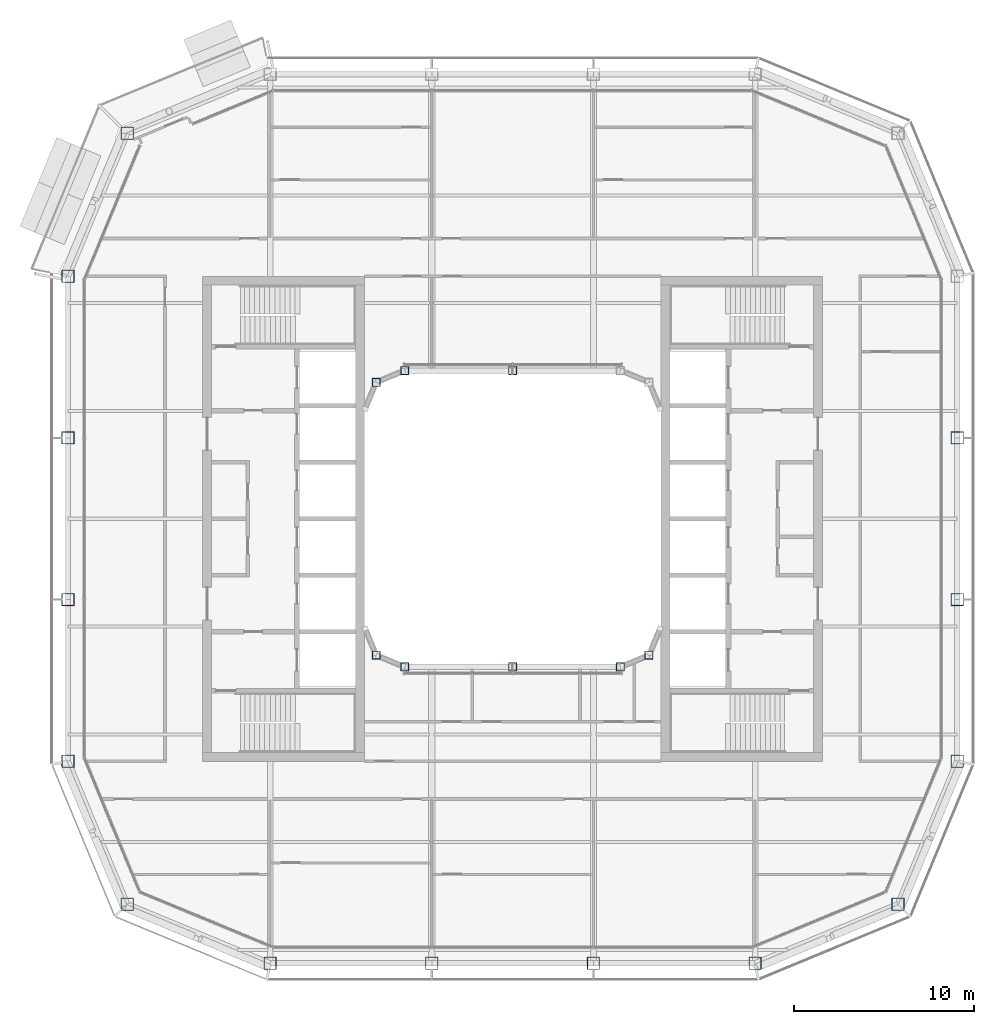
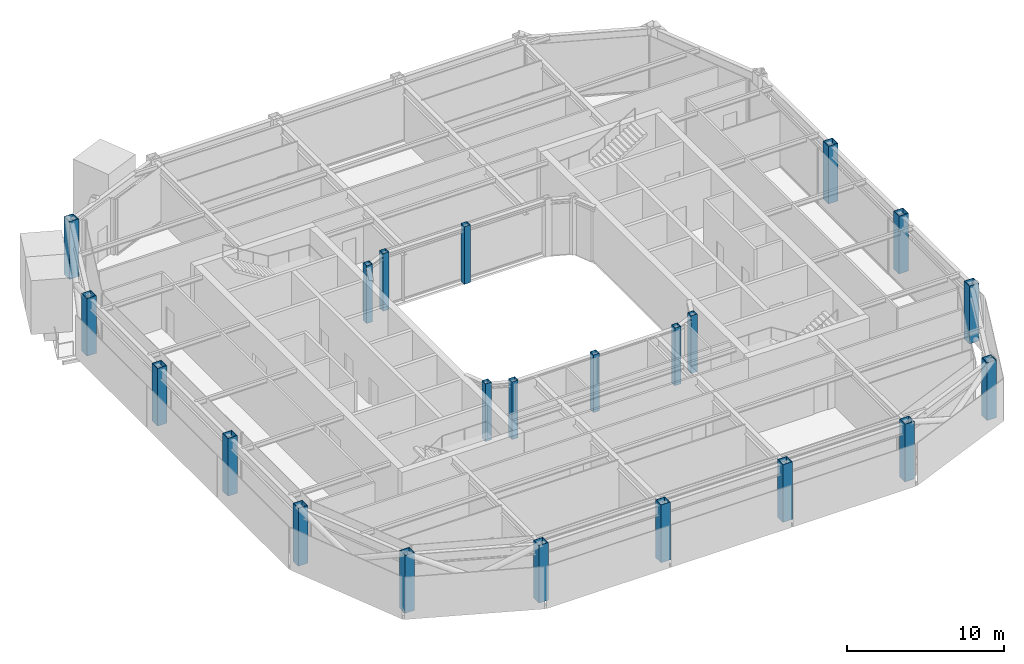
# One storey, part 1 of 22: 22 columns.
"""IFC4 building model written with IfcOpenShell, lengths in metres."""

from ifc_helpers import new_model, si_unit, direction, frame, origin, origin_2d, place, context, subcontext, project, spatial, hollow_rectangle, extrude, material, material_profile, profile_set, type_object, element, save


model = new_model("IFC4")

# Units and contexts
model_context = context("Model", 3, precision=1e-05, world=origin(), true_north=direction((0.0, 1.0)))
body_context = subcontext(model_context, "Body", "Model", "MODEL_VIEW")
ifc_project = project(units=[si_unit("LENGTHUNIT", "METRE"), si_unit("AREAUNIT", "SQUARE_METRE"), si_unit("VOLUMEUNIT", "CUBIC_METRE"), si_unit("PLANEANGLEUNIT", "RADIAN"), si_unit("MASSUNIT", "GRAM", prefix="KILO")], contexts=[model_context])

# Site, building, storey
site_placement = place(None, origin())
site = spatial("IfcSite", under=ifc_project, at=site_placement, CompositionType="ELEMENT")
building_placement = place(site_placement, origin())
building = spatial("IfcBuilding", under=site, at=building_placement, Name="Siwar Civic Tower", CompositionType="ELEMENT")
storey_placement = place(building_placement, frame((0.0, 0.0, 330.199951171875)))
storey = spatial("IfcBuildingStorey", under=building, at=storey_placement, Name="L71", CompositionType="ELEMENT", Elevation=330.199951171875)

# Columns
ifc_material_1 = material(Name="Steel S355", Category="steel")
ifc_material_profile_1 = material_profile(ifc_material_1, hollow_rectangle(XDim=0.699951171875, YDim=0.699951171875, WallThickness=0.035888671875, at=origin_2d()), Name="BOX700x700x36")
ifc_profile_set_1 = profile_set([ifc_material_profile_1], Name="Steel S355")
column_type_1 = type_object("IfcColumnType", Name="STR-COL-BOX700x700x36", PredefinedType="COLUMN", material=ifc_profile_set_1)
for number, where, z_axis, x_axis, name in (
    (1, (-13.5, -24.75, 0.0), (0.0, 0.0, 1.0), (1.0, 0.0, 0.0), "L71/col/S-0"),
    (2, (-4.5, -24.75, 0.0), (0.0, 0.0, 1.0), (1.0, 0.0, 0.0), "L71/col/S-1"),
    (3, (4.5, -24.75, 0.0), (0.0, 0.0, 1.0), (1.0, 0.0, 0.0), "L71/col/S-2"),
    (4, (13.5, -24.75, 0.0), (0.0, 0.0, 1.0), (1.0, 0.0, 0.0), "L71/col/SE1-0"),
    (5, (21.454833984375, -21.454833984375, 0.0), (0.0, 0.0, 1.0), (1.0, 0.0, 0.0), "L71/col/SE2-0"),
    (6, (24.75, -13.5, 0.0), (0.0, 0.0, 1.0), (1.0, 0.0, 0.0), "L71/col/E-0"),
    (7, (24.75, -4.5, 0.0), (0.0, 0.0, 1.0), (1.0, 0.0, 0.0), "L71/col/E-1"),
    (8, (24.75, 4.5, 0.0), (0.0, 0.0, 1.0), (1.0, 0.0, 0.0), "L71/col/E-2"),
    (9, (-21.454833984375, 21.454833984375, 0.0), (0.0, 0.0, 1.0), (1.0, 0.0, 0.0), "L71/col/NW2-0"),
    (10, (-24.75, 13.5, 0.0), (0.0, 0.0, 1.0), (1.0, 0.0, 0.0), "L71/col/W-0"),
    (11, (-24.75, 4.5, 0.0), (0.0, 0.0, 1.0), (1.0, 0.0, 0.0), "L71/col/W-1"),
    (12, (-24.75, -4.5, 0.0), (0.0, 0.0, 1.0), (1.0, 0.0, 0.0), "L71/col/W-2"),
    (13, (-24.75, -13.5, 0.0), (0.0, 0.0, 1.0), (1.0, 0.0, 0.0), "L71/col/SW1-0"),
    (14, (-21.454833984375, -21.454833984375, 0.0), (0.0, 0.0, 1.0), (1.0, 0.0, 0.0), "L71/col/SW2-0"),
):
    element("IfcColumn", number, at=place(storey_placement, frame(where, z_axis=z_axis, x_axis=x_axis)), inside=storey, type_object=column_type_1, Name=name, PredefinedType="COLUMN", context=body_context, shape_type="SweptSolid", body=[
        extrude(hollow_rectangle(XDim=0.699951171875, YDim=0.699951171875, WallThickness=0.035888671875, at=origin_2d()), origin(), (0.0, 0.0, 1.0), 4.5),
    ])
ifc_material_2 = material(Name="Steel S355", Category="steel")
ifc_material_profile_2 = material_profile(ifc_material_2, hollow_rectangle(XDim=0.449951171875, YDim=0.449951171875, WallThickness=0.02197265625, at=origin_2d()), Name="BOX450x450x22")
ifc_profile_set_2 = profile_set([ifc_material_profile_2], Name="Steel S355")
column_type_2 = type_object("IfcColumnType", Name="STR-ICOL-BOX450x450x22", PredefinedType="COLUMN", material=ifc_profile_set_2)
for number, where, z_axis, x_axis, name in (
    (15, (-7.591064453125, -7.591064453125, 0.0), (0.0, 0.0, 1.0), (1.0, 0.0, 0.0), "L71/col/IS-0"),
    (16, (-6.0, -8.25, 0.0), (0.0, 0.0, 1.0), (1.0, 0.0, 0.0), "L71/col/IS-1"),
    (17, (0.0, -8.25, 0.0), (0.0, 0.0, 1.0), (1.0, 0.0, 0.0), "L71/col/IS-2"),
    (18, (6.0, -8.25, 0.0), (0.0, 0.0, 1.0), (1.0, 0.0, 0.0), "L71/col/IS-3"),
    (19, (7.591064453125, -7.591064453125, 0.0), (0.0, 0.0, 1.0), (1.0, 0.0, 0.0), "L71/col/IS-4"),
    (20, (-7.591064453125, 7.591064453125, 0.0), (0.0, 0.0, 1.0), (1.0, 0.0, 0.0), "L71/col/IN-0"),
    (21, (-6.0, 8.25, 0.0), (0.0, 0.0, 1.0), (1.0, 0.0, 0.0), "L71/col/IN-1"),
    (22, (0.0, 8.25, 0.0), (0.0, 0.0, 1.0), (1.0, 0.0, 0.0), "L71/col/IN-2"),
):
    element("IfcColumn", number, at=place(storey_placement, frame(where, z_axis=z_axis, x_axis=x_axis)), inside=storey, type_object=column_type_2, Name=name, PredefinedType="COLUMN", context=body_context, shape_type="SweptSolid", body=[
        extrude(hollow_rectangle(XDim=0.449951171875, YDim=0.449951171875, WallThickness=0.02197265625, at=origin_2d()), origin(), (0.0, 0.0, 1.0), 4.5),
    ])

save(model, "model.ifc")
